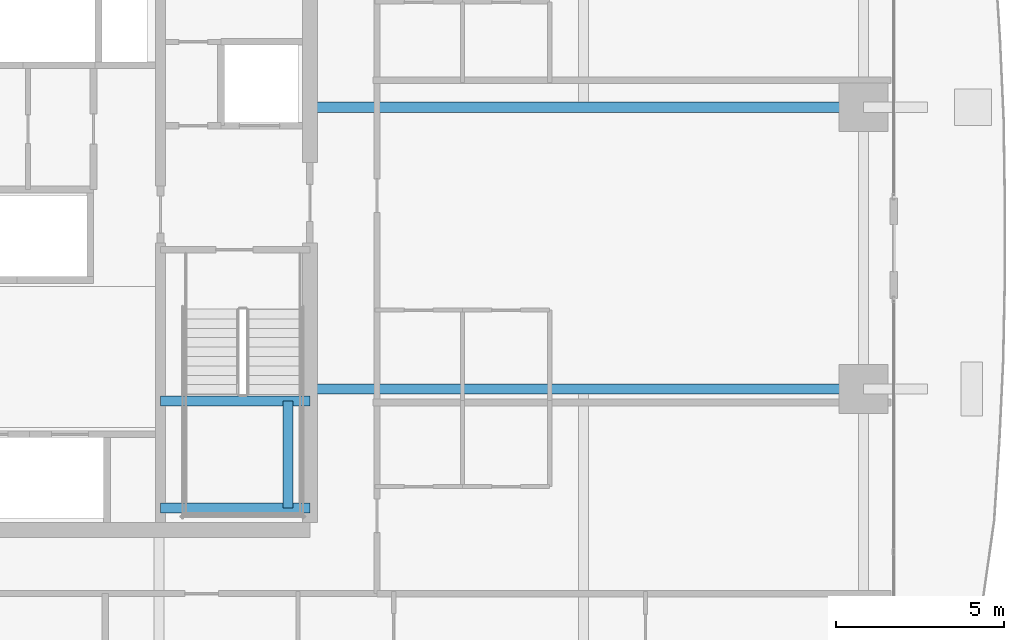
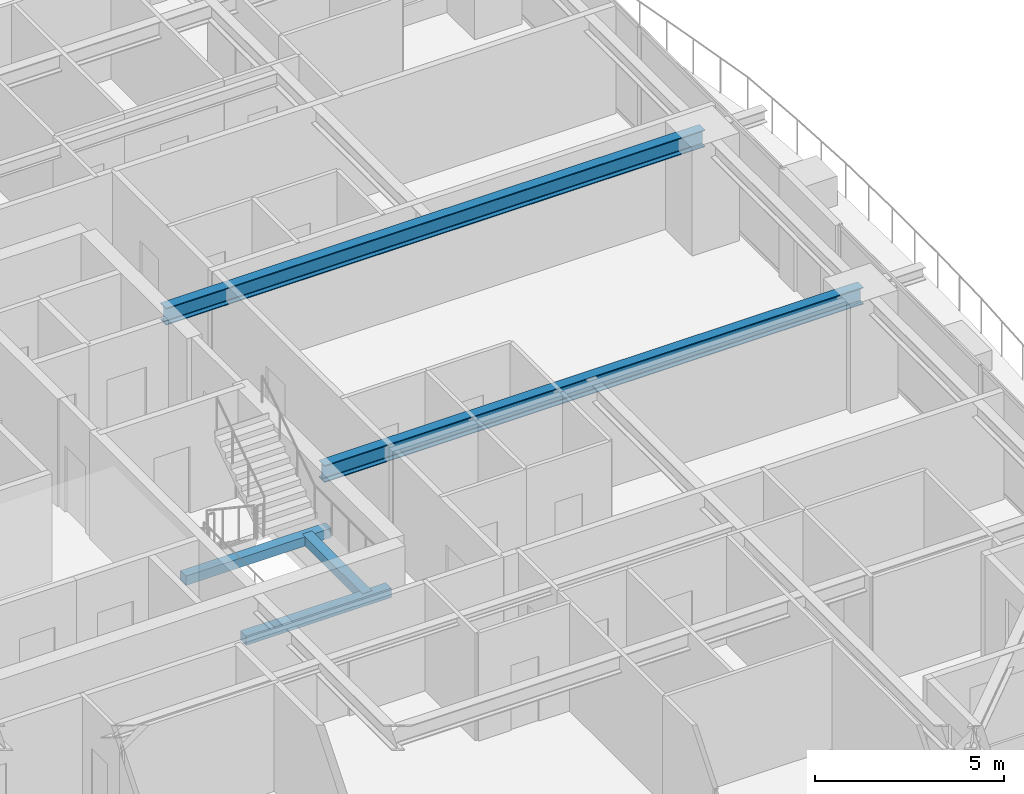
# One storey, part 13 of 38: 5 beams.
"""IFC4 building model written with IfcOpenShell, lengths in metres."""

from ifc_helpers import new_model, si_unit, direction, frame, origin, origin_2d, place, context, subcontext, project, spatial, rectangle, i_section, extrude, source, transform, mapped, material, material_profile, profile_set, type_object, element, save


model = new_model("IFC4")

# Units and contexts
model_context = context("Model", 3, precision=1e-05, world=origin(), true_north=direction((0.0, 1.0)))
body_context = subcontext(model_context, "Body", "Model", "MODEL_VIEW")
ifc_project = project(units=[si_unit("LENGTHUNIT", "METRE"), si_unit("AREAUNIT", "SQUARE_METRE"), si_unit("VOLUMEUNIT", "CUBIC_METRE"), si_unit("PLANEANGLEUNIT", "RADIAN"), si_unit("MASSUNIT", "GRAM", prefix="KILO")], contexts=[model_context])

# Site, building, storey
site_placement = place(None, origin())
site = spatial("IfcSite", under=ifc_project, at=site_placement, CompositionType="ELEMENT")
building_placement = place(site_placement, origin())
building = spatial("IfcBuilding", under=site, at=building_placement, Name="Serunith Strait Residences", CompositionType="ELEMENT")
storey_placement = place(building_placement, frame((0.0, 0.0, 82.949951171875)))
storey = spatial("IfcBuildingStorey", under=building, at=storey_placement, Name="L20", CompositionType="ELEMENT", Elevation=82.949951171875)

# Beams
ifc_material_1 = material(Name="Steel S355J2", Category="steel")
ifc_material_profile_1 = material_profile(ifc_material_1, i_section(OverallWidth=0.300048828125, OverallDepth=0.550048828125, WebThickness=0.014892578125, FlangeThickness=0.029052734375, FilletRadius=0.027099609375, at=origin_2d()), Name="HEB 550")
ifc_profile_set_1 = profile_set([ifc_material_profile_1], Name="Steel S355J2")
beam_type_1 = type_object("IfcBeamType", Name="BM-HEB550", PredefinedType="BEAM", material=ifc_profile_set_1)
shared_shape_1 = source(origin(), body_context, "Body", "SweptSolid", [
    extrude(i_section(OverallWidth=0.300048828125, OverallDepth=0.550048828125, WebThickness=0.014892578125, FlangeThickness=0.029052734375, FilletRadius=0.027099609375, at=origin_2d()), origin(), (0.0, 0.0, 1.0), 16.5),
])
for number, where, z_axis, x_axis, name in (
    (1, (41.39990234375, 21.0, 3.212158203125), (1.0, 0.0, 0.0), (0.0, 1.0, 0.0), "L20 Primary Floor Girder TC-E2"),
    (2, (41.39990234375, 29.39990234375, 3.212158203125), (1.0, 0.0, 0.0), (0.0, 1.0, 0.0), "L20 Primary Floor Girder TC-E3"),
):
    element("IfcBeam", number, at=place(storey_placement, frame(where, z_axis=z_axis, x_axis=x_axis)), inside=storey, type_object=beam_type_1, Name=name, PredefinedType="BEAM", context=body_context, shape_type="MappedRepresentation", body=[
        mapped(shared_shape_1, transform((0.0, 0.0, 0.0), scale=1.0)),
    ])
ifc_material_2 = material(Name="Concrete C60/75", Category="concrete")
ifc_material_profile_2 = material_profile(ifc_material_2, rectangle(XDim=0.300048828125, YDim=0.300048828125, at=origin_2d()), Name="RC 300x300")
ifc_profile_set_2 = profile_set([ifc_material_profile_2], Name="Concrete C60/75")
beam_type_2 = type_object("IfcBeamType", Name="BM-LAND-300x300", PredefinedType="BEAM", material=ifc_profile_set_2)
shared_shape_2 = source(origin(), body_context, "Body", "SweptSolid", [
    extrude(rectangle(XDim=0.300048828125, YDim=0.300048828125, at=origin_2d()), origin(), (0.0, 0.0, 1.0), 3.199951171875),
])
beam_placement = place(storey_placement, frame((40.75, 17.449951171875, 1.525146484375), z_axis=(0.0, 1.0, 0.0), x_axis=(-1.0, 0.0, 0.0)))
element("IfcBeam", 3, at=beam_placement, inside=storey, type_object=beam_type_2, Name="L20 ST-2 Landing Transverse Tie Beam", PredefinedType="BEAM", context=body_context, shape_type="MappedRepresentation", body=[
    mapped(shared_shape_2, transform((0.0, 0.0, 0.0), scale=1.0)),
])
shared_shape_3 = source(origin(), body_context, "Body", "SweptSolid", [
    extrude(rectangle(XDim=0.300048828125, YDim=0.300048828125, at=origin_2d()), origin(), (0.0, 0.0, 1.0), 4.449951171875),
])
for number, where, z_axis, x_axis, name in (
    (4, (36.949951171875, 17.449951171875, 1.525146484375), (1.0, 0.0, 0.0), (0.0, 1.0, 0.0), "L20 ST-2 Landing Support Beam 1"),
    (5, (36.949951171875, 20.64990234375, 1.525146484375), (1.0, 0.0, 0.0), (0.0, 1.0, 0.0), "L20 ST-2 Landing Support Beam 2"),
):
    element("IfcBeam", number, at=place(storey_placement, frame(where, z_axis=z_axis, x_axis=x_axis)), inside=storey, type_object=beam_type_2, Name=name, PredefinedType="BEAM", context=body_context, shape_type="MappedRepresentation", body=[
        mapped(shared_shape_3, transform((0.0, 0.0, 0.0), scale=1.0)),
    ])

save(model, "model.ifc")
